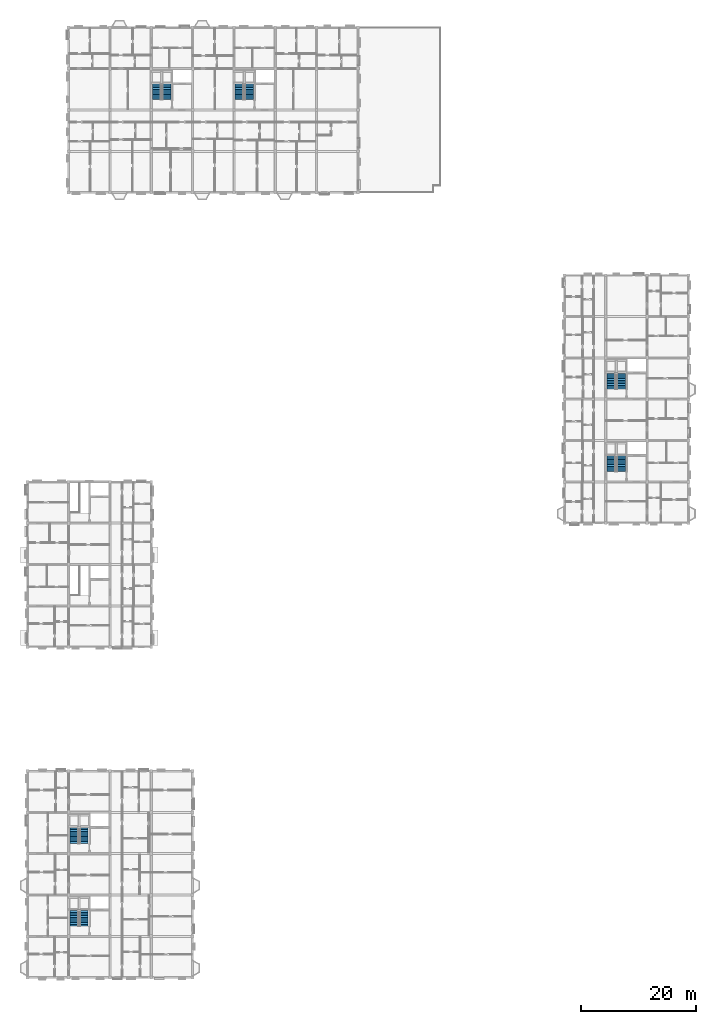
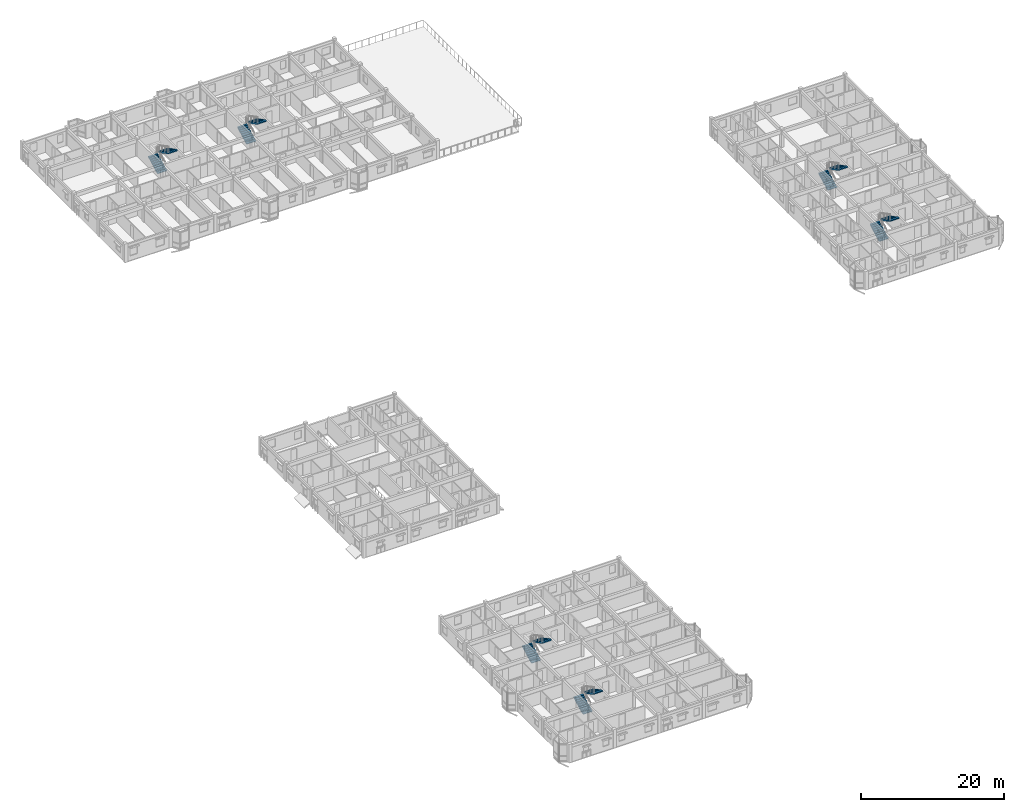
# One storey, part 58 of 64: 12 stair flights, 6 elements without a shape of their own.
"""IFC4 building model written with IfcOpenShell, lengths in metres."""

import ifcopenshell
import ifcopenshell.guid

model = None  # the IFC model being written
_history = None  # IfcOwnerHistory: only IFC2X3 demands one
_inside = {}  # id of a spatial element -> (the spatial element, [elements in it])
_under = {}  # id of a project, library or spatial element -> (it, [spatial elements below it])
_declared = {}  # id of a project -> (the project, [libraries it declares])
_typed = {}  # id of a type object -> (the type object, [elements of that type])
_made_of = {}  # id of a material, layer set ... -> (it, [elements and type objects made of it])


def new_model(schema):
    """Start an empty IFC model of exactly this schema.

    Asked for "IFC4X3", IfcOpenShell would pick the latest addendum, in which some entities
    have other attributes; the version numbers below select the first issue.
    IFC2X3 requires an IfcOwnerHistory on every rooted entity: one is made here for all.
    """
    global model, _history
    if schema == "IFC4X3":
        model = ifcopenshell.file(schema_version=(4, 3, 0, 0))
    else:
        model = ifcopenshell.file(schema=schema)
    _inside.clear()
    _under.clear()
    _declared.clear()
    _typed.clear()
    _made_of.clear()
    _history = None
    if model.schema == "IFC2X3":
        org = make("IfcOrganization", Name="unknown")
        user = make(
            "IfcPersonAndOrganization",
            ThePerson=make("IfcPerson", FamilyName="unknown"),
            TheOrganization=org,
        )
        app = make(
            "IfcApplication",
            ApplicationDeveloper=org,
            Version="unknown",
            ApplicationFullName="unknown",
            ApplicationIdentifier="unknown",
        )
        _history = make(
            "IfcOwnerHistory",
            OwningUser=user,
            OwningApplication=app,
            ChangeAction="ADDED",
            CreationDate=0,
        )
    return model


def make(cls, **values):
    """One entity of the class cls with the attributes given. An attribute that is None is left unset."""
    return model.create_entity(
        cls, **{name: value for name, value in values.items() if value is not None}
    )


def rooted(cls, **values):
    """An entity with a GlobalId (a new one), such as an element, a storey or a relation."""
    return make(cls, GlobalId=ifcopenshell.guid.new(), OwnerHistory=_history, **values)


def si_unit(unit_type, name, prefix=None):
    """IfcSIUnit, for example si_unit("LENGTHUNIT", "METRE", prefix="MILLI")."""
    return make("IfcSIUnit", UnitType=unit_type, Prefix=prefix, Name=name)


def assignment(units):
    """IfcUnitAssignment: the units of a project."""
    return None if units is None else make("IfcUnitAssignment", Units=units)


def point(xyz):
    """IfcCartesianPoint."""
    return None if xyz is None else make("IfcCartesianPoint", Coordinates=xyz)


def direction(xyz):
    """IfcDirection."""
    return None if xyz is None else make("IfcDirection", DirectionRatios=xyz)


def frame(location, z_axis=None, x_axis=None):
    """IfcAxis2Placement3D, a coordinate frame: its origin and axes. An axis left out is left unset."""
    return make(
        "IfcAxis2Placement3D",
        Location=point(location),
        Axis=direction(z_axis),
        RefDirection=direction(x_axis),
    )


def origin():
    """The frame at (0, 0, 0) with its axes left unset."""
    return frame((0.0, 0.0, 0.0))


def place(relative_to, where):
    """IfcLocalPlacement: puts the frame where relative to a parent placement (None: the world)."""
    return make(
        "IfcLocalPlacement", PlacementRelTo=relative_to, RelativePlacement=where
    )


def context(
    kind, dimensions, precision=None, world=None, true_north=None, identifier=None
):
    """IfcGeometricRepresentationContext, for example the 3D "Model" context."""
    return make(
        "IfcGeometricRepresentationContext",
        ContextIdentifier=identifier,
        ContextType=kind,
        CoordinateSpaceDimension=dimensions,
        Precision=precision,
        WorldCoordinateSystem=world,
        TrueNorth=true_north,
    )


def subcontext(parent, identifier, kind, view, scale=None):
    """IfcGeometricRepresentationSubContext, for example "Body" below "Model"."""
    return make(
        "IfcGeometricRepresentationSubContext",
        ContextIdentifier=identifier,
        ContextType=kind,
        ParentContext=parent,
        TargetScale=scale,
        TargetView=view,
    )


def project(units=None, contexts=None):
    """IfcProject with its units and contexts."""
    return rooted(
        "IfcProject",
        Name="project",
        RepresentationContexts=contexts,
        UnitsInContext=assignment(units),
    )


def spatial(cls, under=None, at=None, **own):
    """A site, building, storey or space (cls), placed at a placement, below another one or the project."""
    s = rooted(cls, ObjectPlacement=at, **own)
    if under is not None:
        _under.setdefault(under.id(), (under, []))[1].append(s)
    return s


def polyline(points):
    """IfcPolyline through the points."""
    return make("IfcPolyline", Points=[point(p) for p in points])


def outline(outer, holes=None, kind="AREA"):
    """IfcArbitraryClosedProfileDef: a profile drawn as a closed curve; with holes, ...WithVoids."""
    if holes is None:
        return make("IfcArbitraryClosedProfileDef", ProfileType=kind, OuterCurve=outer)
    return make(
        "IfcArbitraryProfileDefWithVoids",
        ProfileType=kind,
        OuterCurve=outer,
        InnerCurves=holes,
    )


def extrude(swept, where, along, depth):
    """IfcExtrudedAreaSolid: the profile swept, set in the frame where, extruded along a direction by depth."""
    return make(
        "IfcExtrudedAreaSolid",
        SweptArea=swept,
        Position=where,
        ExtrudedDirection=direction(along),
        Depth=depth,
    )


def shape(context_of_items, identifier, shape_type, items):
    """IfcShapeRepresentation: the items that make up one representation, for example the "Body"."""
    return make(
        "IfcShapeRepresentation",
        ContextOfItems=context_of_items,
        RepresentationIdentifier=identifier,
        RepresentationType=shape_type,
        Items=items,
    )


def material(Name=None, Category=None):
    """IfcMaterial."""
    return make("IfcMaterial", Name=Name, Category=Category)


def made_of(thing, what):
    """Note that an element or type object is made of a material, layer set ...; save() writes the relation."""
    if what is not None:
        _made_of.setdefault(what.id(), (what, []))[1].append(thing)
    return thing


def type_object(cls, material=None, **own):
    """A type object (cls), such as IfcWallType, which elements share."""
    return made_of(rooted(cls, **own), material)


def element(
    cls,
    number,
    at=None,
    inside=None,
    cuts=None,
    type_object=None,
    material=None,
    context=None,
    identifier="Body",
    shape_type=None,
    held_by="IfcProductDefinitionShape",
    body=None,
    shapes=None,
    **own,
):
    """One element of the class cls, such as IfcWall. Its Tag is "e" and its number.

    at: its placement. inside: the storey or other place that contains it. cuts: it is an
    opening in that element (IfcRelVoidsElement). A single representation is given by context,
    identifier, shape_type and body (its items); several are given by shapes. held_by: the class
    of the entity that holds the representations. save() writes the other relations.
    """
    e = rooted(cls, Tag="e%d" % number, ObjectPlacement=at, **own)
    if body is not None:
        shapes = [shape(context, identifier, shape_type, body)]
    if shapes is not None:
        e.Representation = make(held_by, Representations=shapes)
    if inside is not None:
        _inside.setdefault(inside.id(), (inside, []))[1].append(e)
    if cuts is not None:
        rooted(
            "IfcRelVoidsElement", RelatingBuildingElement=cuts, RelatedOpeningElement=e
        )
    if type_object is not None:
        _typed.setdefault(type_object.id(), (type_object, []))[1].append(e)
    return made_of(e, material)


def aggregate(whole, parts):
    """IfcRelAggregates: a whole, such as a stair, and the parts it consists of."""
    return rooted("IfcRelAggregates", RelatingObject=whole, RelatedObjects=parts)


def save(model, path):
    """Write the relations noted so far, then the file.

    IfcRelAggregates (storeys below a building ...), IfcRelContainedInSpatialStructure (elements
    in a storey), IfcRelDefinesByType, IfcRelAssociatesMaterial and IfcRelDeclares: one each for
    every whole, place, type object, material and project.
    """
    for whole, parts in _under.values():
        aggregate(whole, parts)
    for where, things in _inside.values():
        rooted(
            "IfcRelContainedInSpatialStructure",
            RelatedElements=things,
            RelatingStructure=where,
        )
    for kind, things in _typed.values():
        rooted("IfcRelDefinesByType", RelatedObjects=things, RelatingType=kind)
    for what, things in _made_of.values():
        rooted("IfcRelAssociatesMaterial", RelatedObjects=things, RelatingMaterial=what)
    for by, libraries in _declared.values():
        rooted("IfcRelDeclares", RelatingContext=by, RelatedDefinitions=libraries)
    model.write(path)


model = new_model("IFC4")

# Units and contexts
model_context = context("Model", 3, precision=1e-05, world=origin(), true_north=direction((0.0, 1.0)))
body_context = subcontext(model_context, "Body", "Model", "MODEL_VIEW")
ifc_project = project(units=[si_unit("LENGTHUNIT", "METRE"), si_unit("AREAUNIT", "SQUARE_METRE"), si_unit("VOLUMEUNIT", "CUBIC_METRE"), si_unit("PLANEANGLEUNIT", "RADIAN"), si_unit("MASSUNIT", "GRAM", prefix="KILO"), si_unit("THERMODYNAMICTEMPERATUREUNIT", "KELVIN"), si_unit("POWERUNIT", "WATT")], contexts=[model_context])

# Site, building, storey
site_placement = place(None, origin())
site = spatial("IfcSite", under=ifc_project, at=site_placement, CompositionType="ELEMENT")
building_placement = place(site_placement, origin())
building = spatial("IfcBuilding", under=site, at=building_placement, Name="Tavuni Mirador Residences", CompositionType="ELEMENT")
storey_placement = place(building_placement, frame((0.0, 0.0, 26.550048828125)))
storey = spatial("IfcBuildingStorey", under=building, at=storey_placement, Name="L08", CompositionType="ELEMENT", Elevation=26.550048828125)

# Stair, stair flights
ifc_material = material(Name="Precast concrete C40/50", Category="concrete")
stair_type = type_object("IfcStairType", Name="STT-TYP", PredefinedType="HALF_TURN_STAIR", material=ifc_material)
stair_1_placement = place(storey_placement, origin())
stair_1 = element("IfcStair", 1, at=stair_1_placement, inside=storey, type_object=stair_type, Name="Protected exit stair ST1 (L08)", PredefinedType="HALF_TURN_STAIR")
stair_flight_type = type_object("IfcStairFlightType", Name="SFT-1500", PredefinedType="STRAIGHT", material=ifc_material)
stair_flight_1_placement = place(storey_placement, frame((11.75, 16.199951171875, 0.0), z_axis=(0.0, 0.0, 1.0), x_axis=(0.0, 1.0, 0.0)))
stair_flight_1 = element("IfcStairFlight", 2, at=stair_flight_1_placement, type_object=stair_flight_type, Name="ST1 flight 1", NumberOfRisers=10, NumberOfTreads=9, PredefinedType="STRAIGHT", RiserHeight=0.1575, TreadLength=0.3, context=body_context, shape_type="SweptSolid", body=[
    extrude(outline(polyline([(0.0, 0.0), (0.0, 0.157470703125), (0.300048828125, 0.157470703125), (0.300048828125, 0.31494140625), (0.60009765625, 0.31494140625), (0.60009765625, 0.472412109375), (0.89990234375, 0.472412109375), (0.89990234375, 0.6298828125), (1.199951171875, 0.6298828125), (1.199951171875, 0.78759765625), (1.5, 0.78759765625), (1.5, 0.945068359375), (1.800048828125, 0.945068359375), (1.800048828125, 1.1025390625), (2.10009765625, 1.1025390625), (2.10009765625, 1.260009765625), (2.39990234375, 1.260009765625), (2.39990234375, 1.41748046875), (2.699951171875, 1.41748046875), (2.699951171875, 1.574951171875), (2.699951171875, 1.23681640625), (0.343994140625, 0.0), (0.0, 0.0)])), frame((0.0, 0.75, 0.0), z_axis=(0.0, -1.0, 0.0), x_axis=(1.0, 0.0, 0.0)), (0.0, 0.0, 1.0), 1.5),
])
stair_flight_2_placement = place(storey_placement, frame((13.449951171875, 18.89990234375, 1.574951171875), z_axis=(0.0, 0.0, 1.0), x_axis=(0.0, -1.0, 0.0)))
stair_flight_2 = element("IfcStairFlight", 3, at=stair_flight_2_placement, type_object=stair_flight_type, Name="ST1 flight 2", NumberOfRisers=10, NumberOfTreads=9, PredefinedType="STRAIGHT", RiserHeight=0.1575, TreadLength=0.3, context=body_context, shape_type="SweptSolid", body=[
    extrude(outline(polyline([(0.0, 0.0), (0.0, 0.157470703125), (0.300048828125, 0.157470703125), (0.300048828125, 0.31494140625), (0.60009765625, 0.31494140625), (0.60009765625, 0.472412109375), (0.89990234375, 0.472412109375), (0.89990234375, 0.6298828125), (1.199951171875, 0.6298828125), (1.199951171875, 0.78759765625), (1.5, 0.78759765625), (1.5, 0.945068359375), (1.800048828125, 0.945068359375), (1.800048828125, 1.1025390625), (2.10009765625, 1.1025390625), (2.10009765625, 1.260009765625), (2.39990234375, 1.260009765625), (2.39990234375, 1.41748046875), (2.699951171875, 1.41748046875), (2.699951171875, 1.574951171875), (2.699951171875, 1.23681640625), (0.343994140625, 0.0), (0.0, 0.0)])), frame((0.0, 0.75, 0.0), z_axis=(0.0, -1.0, 0.0), x_axis=(1.0, 0.0, 0.0)), (0.0, 0.0, 1.0), 1.5),
])
aggregate(stair_1, [stair_flight_1, stair_flight_2])

stair_2_placement = place(storey_placement, origin())
stair_2 = element("IfcStair", 4, at=stair_2_placement, inside=storey, type_object=stair_type, Name="Protected exit stair ST2 (L08)", PredefinedType="HALF_TURN_STAIR")
stair_flight_3_placement = place(storey_placement, frame((11.75, 30.60009765625, 0.0), z_axis=(0.0, 0.0, 1.0), x_axis=(0.0, 1.0, 0.0)))
stair_flight_3 = element("IfcStairFlight", 5, at=stair_flight_3_placement, type_object=stair_flight_type, Name="ST2 flight 1", NumberOfRisers=10, NumberOfTreads=9, PredefinedType="STRAIGHT", RiserHeight=0.1575, TreadLength=0.3, context=body_context, shape_type="SweptSolid", body=[
    extrude(outline(polyline([(0.0, 0.0), (0.0, 0.157470703125), (0.300048828125, 0.157470703125), (0.300048828125, 0.31494140625), (0.60009765625, 0.31494140625), (0.60009765625, 0.472412109375), (0.89990234375, 0.472412109375), (0.89990234375, 0.6298828125), (1.199951171875, 0.6298828125), (1.199951171875, 0.78759765625), (1.5, 0.78759765625), (1.5, 0.945068359375), (1.800048828125, 0.945068359375), (1.800048828125, 1.1025390625), (2.10009765625, 1.1025390625), (2.10009765625, 1.260009765625), (2.39990234375, 1.260009765625), (2.39990234375, 1.41748046875), (2.699951171875, 1.41748046875), (2.699951171875, 1.574951171875), (2.699951171875, 1.23681640625), (0.343994140625, 0.0), (0.0, 0.0)])), frame((0.0, 0.75, 0.0), z_axis=(0.0, -1.0, 0.0), x_axis=(1.0, 0.0, 0.0)), (0.0, 0.0, 1.0), 1.5),
])
stair_flight_4_placement = place(storey_placement, frame((13.449951171875, 33.300048828125, 1.574951171875), z_axis=(0.0, 0.0, 1.0), x_axis=(0.0, -1.0, 0.0)))
stair_flight_4 = element("IfcStairFlight", 6, at=stair_flight_4_placement, type_object=stair_flight_type, Name="ST2 flight 2", NumberOfRisers=10, NumberOfTreads=9, PredefinedType="STRAIGHT", RiserHeight=0.1575, TreadLength=0.3, context=body_context, shape_type="SweptSolid", body=[
    extrude(outline(polyline([(0.0, 0.0), (0.0, 0.157470703125), (0.300048828125, 0.157470703125), (0.300048828125, 0.31494140625), (0.60009765625, 0.31494140625), (0.60009765625, 0.472412109375), (0.89990234375, 0.472412109375), (0.89990234375, 0.6298828125), (1.199951171875, 0.6298828125), (1.199951171875, 0.78759765625), (1.5, 0.78759765625), (1.5, 0.945068359375), (1.800048828125, 0.945068359375), (1.800048828125, 1.1025390625), (2.10009765625, 1.1025390625), (2.10009765625, 1.260009765625), (2.39990234375, 1.260009765625), (2.39990234375, 1.41748046875), (2.699951171875, 1.41748046875), (2.699951171875, 1.574951171875), (2.699951171875, 1.23681640625), (0.343994140625, 0.0), (0.0, 0.0)])), frame((0.0, 0.75, 0.0), z_axis=(0.0, -1.0, 0.0), x_axis=(1.0, 0.0, 0.0)), (0.0, 0.0, 1.0), 1.5),
])
aggregate(stair_2, [stair_flight_3, stair_flight_4])

stair_3_placement = place(storey_placement, origin())
stair_3 = element("IfcStair", 7, at=stair_3_placement, inside=storey, type_object=stair_type, Name="Protected exit stair ST5 (L08)", PredefinedType="HALF_TURN_STAIR")
stair_flight_5_placement = place(storey_placement, frame((26.14990234375, 160.199951171875, 0.0), z_axis=(0.0, 0.0, 1.0), x_axis=(0.0, 1.0, 0.0)))
stair_flight_5 = element("IfcStairFlight", 8, at=stair_flight_5_placement, type_object=stair_flight_type, Name="ST5 flight 1", NumberOfRisers=10, NumberOfTreads=9, PredefinedType="STRAIGHT", RiserHeight=0.1575, TreadLength=0.3, context=body_context, shape_type="SweptSolid", body=[
    extrude(outline(polyline([(0.0, 0.0), (0.0, 0.157470703125), (0.300048828125, 0.157470703125), (0.300048828125, 0.31494140625), (0.60009765625, 0.31494140625), (0.60009765625, 0.472412109375), (0.89990234375, 0.472412109375), (0.89990234375, 0.6298828125), (1.199951171875, 0.6298828125), (1.199951171875, 0.78759765625), (1.5, 0.78759765625), (1.5, 0.945068359375), (1.800048828125, 0.945068359375), (1.800048828125, 1.1025390625), (2.10009765625, 1.1025390625), (2.10009765625, 1.260009765625), (2.39990234375, 1.260009765625), (2.39990234375, 1.41748046875), (2.699951171875, 1.41748046875), (2.699951171875, 1.574951171875), (2.699951171875, 1.23681640625), (0.343994140625, 0.0), (0.0, 0.0)])), frame((0.0, 0.75, 0.0), z_axis=(0.0, -1.0, 0.0), x_axis=(1.0, 0.0, 0.0)), (0.0, 0.0, 1.0), 1.5),
])
stair_flight_6_placement = place(storey_placement, frame((27.85009765625, 162.89990234375, 1.574951171875), z_axis=(0.0, 0.0, 1.0), x_axis=(0.0, -1.0, 0.0)))
stair_flight_6 = element("IfcStairFlight", 9, at=stair_flight_6_placement, type_object=stair_flight_type, Name="ST5 flight 2", NumberOfRisers=10, NumberOfTreads=9, PredefinedType="STRAIGHT", RiserHeight=0.1575, TreadLength=0.3, context=body_context, shape_type="SweptSolid", body=[
    extrude(outline(polyline([(0.0, 0.0), (0.0, 0.157470703125), (0.300048828125, 0.157470703125), (0.300048828125, 0.31494140625), (0.60009765625, 0.31494140625), (0.60009765625, 0.472412109375), (0.89990234375, 0.472412109375), (0.89990234375, 0.6298828125), (1.199951171875, 0.6298828125), (1.199951171875, 0.78759765625), (1.5, 0.78759765625), (1.5, 0.945068359375), (1.800048828125, 0.945068359375), (1.800048828125, 1.1025390625), (2.10009765625, 1.1025390625), (2.10009765625, 1.260009765625), (2.39990234375, 1.260009765625), (2.39990234375, 1.41748046875), (2.699951171875, 1.41748046875), (2.699951171875, 1.574951171875), (2.699951171875, 1.23681640625), (0.343994140625, 0.0), (0.0, 0.0)])), frame((0.0, 0.75, 0.0), z_axis=(0.0, -1.0, 0.0), x_axis=(1.0, 0.0, 0.0)), (0.0, 0.0, 1.0), 1.5),
])
aggregate(stair_3, [stair_flight_5, stair_flight_6])

stair_4_placement = place(storey_placement, origin())
stair_4 = element("IfcStair", 10, at=stair_4_placement, inside=storey, type_object=stair_type, Name="Protected exit stair ST6 (L08)", PredefinedType="HALF_TURN_STAIR")
stair_flight_7_placement = place(storey_placement, frame((40.550048828125, 160.199951171875, 0.0), z_axis=(0.0, 0.0, 1.0), x_axis=(0.0, 1.0, 0.0)))
stair_flight_7 = element("IfcStairFlight", 11, at=stair_flight_7_placement, type_object=stair_flight_type, Name="ST6 flight 1", NumberOfRisers=10, NumberOfTreads=9, PredefinedType="STRAIGHT", RiserHeight=0.1575, TreadLength=0.3, context=body_context, shape_type="SweptSolid", body=[
    extrude(outline(polyline([(0.0, 0.0), (0.0, 0.157470703125), (0.300048828125, 0.157470703125), (0.300048828125, 0.31494140625), (0.60009765625, 0.31494140625), (0.60009765625, 0.472412109375), (0.89990234375, 0.472412109375), (0.89990234375, 0.6298828125), (1.199951171875, 0.6298828125), (1.199951171875, 0.78759765625), (1.5, 0.78759765625), (1.5, 0.945068359375), (1.800048828125, 0.945068359375), (1.800048828125, 1.1025390625), (2.10009765625, 1.1025390625), (2.10009765625, 1.260009765625), (2.39990234375, 1.260009765625), (2.39990234375, 1.41748046875), (2.699951171875, 1.41748046875), (2.699951171875, 1.574951171875), (2.699951171875, 1.23681640625), (0.343994140625, 0.0), (0.0, 0.0)])), frame((0.0, 0.75, 0.0), z_axis=(0.0, -1.0, 0.0), x_axis=(1.0, 0.0, 0.0)), (0.0, 0.0, 1.0), 1.5),
])
stair_flight_8_placement = place(storey_placement, frame((42.25, 162.89990234375, 1.574951171875), z_axis=(0.0, 0.0, 1.0), x_axis=(0.0, -1.0, 0.0)))
stair_flight_8 = element("IfcStairFlight", 12, at=stair_flight_8_placement, type_object=stair_flight_type, Name="ST6 flight 2", NumberOfRisers=10, NumberOfTreads=9, PredefinedType="STRAIGHT", RiserHeight=0.1575, TreadLength=0.3, context=body_context, shape_type="SweptSolid", body=[
    extrude(outline(polyline([(0.0, 0.0), (0.0, 0.157470703125), (0.300048828125, 0.157470703125), (0.300048828125, 0.31494140625), (0.60009765625, 0.31494140625), (0.60009765625, 0.472412109375), (0.89990234375, 0.472412109375), (0.89990234375, 0.6298828125), (1.199951171875, 0.6298828125), (1.199951171875, 0.78759765625), (1.5, 0.78759765625), (1.5, 0.945068359375), (1.800048828125, 0.945068359375), (1.800048828125, 1.1025390625), (2.10009765625, 1.1025390625), (2.10009765625, 1.260009765625), (2.39990234375, 1.260009765625), (2.39990234375, 1.41748046875), (2.699951171875, 1.41748046875), (2.699951171875, 1.574951171875), (2.699951171875, 1.23681640625), (0.343994140625, 0.0), (0.0, 0.0)])), frame((0.0, 0.75, 0.0), z_axis=(0.0, -1.0, 0.0), x_axis=(1.0, 0.0, 0.0)), (0.0, 0.0, 1.0), 1.5),
])
aggregate(stair_4, [stair_flight_7, stair_flight_8])

stair_5_placement = place(storey_placement, origin())
stair_5 = element("IfcStair", 13, at=stair_5_placement, inside=storey, type_object=stair_type, Name="Protected exit stair ST7 (L08)", PredefinedType="HALF_TURN_STAIR")
stair_flight_9_placement = place(storey_placement, frame((105.35009765625, 95.39990234375, 0.0), z_axis=(0.0, 0.0, 1.0), x_axis=(0.0, 1.0, 0.0)))
stair_flight_9 = element("IfcStairFlight", 14, at=stair_flight_9_placement, type_object=stair_flight_type, Name="ST7 flight 1", NumberOfRisers=10, NumberOfTreads=9, PredefinedType="STRAIGHT", RiserHeight=0.1575, TreadLength=0.3, context=body_context, shape_type="SweptSolid", body=[
    extrude(outline(polyline([(0.0, 0.0), (0.0, 0.157470703125), (0.300048828125, 0.157470703125), (0.300048828125, 0.31494140625), (0.60009765625, 0.31494140625), (0.60009765625, 0.472412109375), (0.89990234375, 0.472412109375), (0.89990234375, 0.6298828125), (1.199951171875, 0.6298828125), (1.199951171875, 0.78759765625), (1.5, 0.78759765625), (1.5, 0.945068359375), (1.800048828125, 0.945068359375), (1.800048828125, 1.1025390625), (2.10009765625, 1.1025390625), (2.10009765625, 1.260009765625), (2.39990234375, 1.260009765625), (2.39990234375, 1.41748046875), (2.699951171875, 1.41748046875), (2.699951171875, 1.574951171875), (2.699951171875, 1.23681640625), (0.343994140625, 0.0), (0.0, 0.0)])), frame((0.0, 0.75, 0.0), z_axis=(0.0, -1.0, 0.0), x_axis=(1.0, 0.0, 0.0)), (0.0, 0.0, 1.0), 1.5),
])
stair_flight_10_placement = place(storey_placement, frame((107.050048828125, 98.10009765625, 1.574951171875), z_axis=(0.0, 0.0, 1.0), x_axis=(0.0, -1.0, 0.0)))
stair_flight_10 = element("IfcStairFlight", 15, at=stair_flight_10_placement, type_object=stair_flight_type, Name="ST7 flight 2", NumberOfRisers=10, NumberOfTreads=9, PredefinedType="STRAIGHT", RiserHeight=0.1575, TreadLength=0.3, context=body_context, shape_type="SweptSolid", body=[
    extrude(outline(polyline([(0.0, 0.0), (0.0, 0.157470703125), (0.300048828125, 0.157470703125), (0.300048828125, 0.31494140625), (0.60009765625, 0.31494140625), (0.60009765625, 0.472412109375), (0.89990234375, 0.472412109375), (0.89990234375, 0.6298828125), (1.199951171875, 0.6298828125), (1.199951171875, 0.78759765625), (1.5, 0.78759765625), (1.5, 0.945068359375), (1.800048828125, 0.945068359375), (1.800048828125, 1.1025390625), (2.10009765625, 1.1025390625), (2.10009765625, 1.260009765625), (2.39990234375, 1.260009765625), (2.39990234375, 1.41748046875), (2.699951171875, 1.41748046875), (2.699951171875, 1.574951171875), (2.699951171875, 1.23681640625), (0.343994140625, 0.0), (0.0, 0.0)])), frame((0.0, 0.75, 0.0), z_axis=(0.0, -1.0, 0.0), x_axis=(1.0, 0.0, 0.0)), (0.0, 0.0, 1.0), 1.5),
])
aggregate(stair_5, [stair_flight_9, stair_flight_10])

stair_6_placement = place(storey_placement, origin())
stair_6 = element("IfcStair", 16, at=stair_6_placement, inside=storey, type_object=stair_type, Name="Protected exit stair ST8 (L08)", PredefinedType="HALF_TURN_STAIR")
stair_flight_11_placement = place(storey_placement, frame((105.35009765625, 109.800048828125, 0.0), z_axis=(0.0, 0.0, 1.0), x_axis=(0.0, 1.0, 0.0)))
stair_flight_11 = element("IfcStairFlight", 17, at=stair_flight_11_placement, type_object=stair_flight_type, Name="ST8 flight 1", NumberOfRisers=10, NumberOfTreads=9, PredefinedType="STRAIGHT", RiserHeight=0.1575, TreadLength=0.3, context=body_context, shape_type="SweptSolid", body=[
    extrude(outline(polyline([(0.0, 0.0), (0.0, 0.157470703125), (0.300048828125, 0.157470703125), (0.300048828125, 0.31494140625), (0.60009765625, 0.31494140625), (0.60009765625, 0.472412109375), (0.89990234375, 0.472412109375), (0.89990234375, 0.6298828125), (1.199951171875, 0.6298828125), (1.199951171875, 0.78759765625), (1.5, 0.78759765625), (1.5, 0.945068359375), (1.800048828125, 0.945068359375), (1.800048828125, 1.1025390625), (2.10009765625, 1.1025390625), (2.10009765625, 1.260009765625), (2.39990234375, 1.260009765625), (2.39990234375, 1.41748046875), (2.699951171875, 1.41748046875), (2.699951171875, 1.574951171875), (2.699951171875, 1.23681640625), (0.343994140625, 0.0), (0.0, 0.0)])), frame((0.0, 0.75, 0.0), z_axis=(0.0, -1.0, 0.0), x_axis=(1.0, 0.0, 0.0)), (0.0, 0.0, 1.0), 1.5),
])
stair_flight_12_placement = place(storey_placement, frame((107.050048828125, 112.5, 1.574951171875), z_axis=(0.0, 0.0, 1.0), x_axis=(0.0, -1.0, 0.0)))
stair_flight_12 = element("IfcStairFlight", 18, at=stair_flight_12_placement, type_object=stair_flight_type, Name="ST8 flight 2", NumberOfRisers=10, NumberOfTreads=9, PredefinedType="STRAIGHT", RiserHeight=0.1575, TreadLength=0.3, context=body_context, shape_type="SweptSolid", body=[
    extrude(outline(polyline([(0.0, 0.0), (0.0, 0.157470703125), (0.300048828125, 0.157470703125), (0.300048828125, 0.31494140625), (0.60009765625, 0.31494140625), (0.60009765625, 0.472412109375), (0.89990234375, 0.472412109375), (0.89990234375, 0.6298828125), (1.199951171875, 0.6298828125), (1.199951171875, 0.78759765625), (1.5, 0.78759765625), (1.5, 0.945068359375), (1.800048828125, 0.945068359375), (1.800048828125, 1.1025390625), (2.10009765625, 1.1025390625), (2.10009765625, 1.260009765625), (2.39990234375, 1.260009765625), (2.39990234375, 1.41748046875), (2.699951171875, 1.41748046875), (2.699951171875, 1.574951171875), (2.699951171875, 1.23681640625), (0.343994140625, 0.0), (0.0, 0.0)])), frame((0.0, 0.75, 0.0), z_axis=(0.0, -1.0, 0.0), x_axis=(1.0, 0.0, 0.0)), (0.0, 0.0, 1.0), 1.5),
])
aggregate(stair_6, [stair_flight_11, stair_flight_12])

save(model, "model.ifc")
